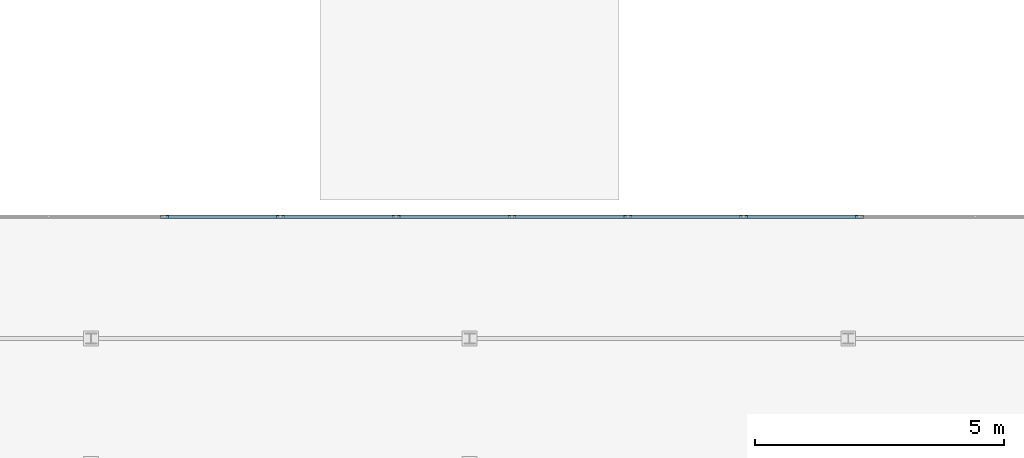
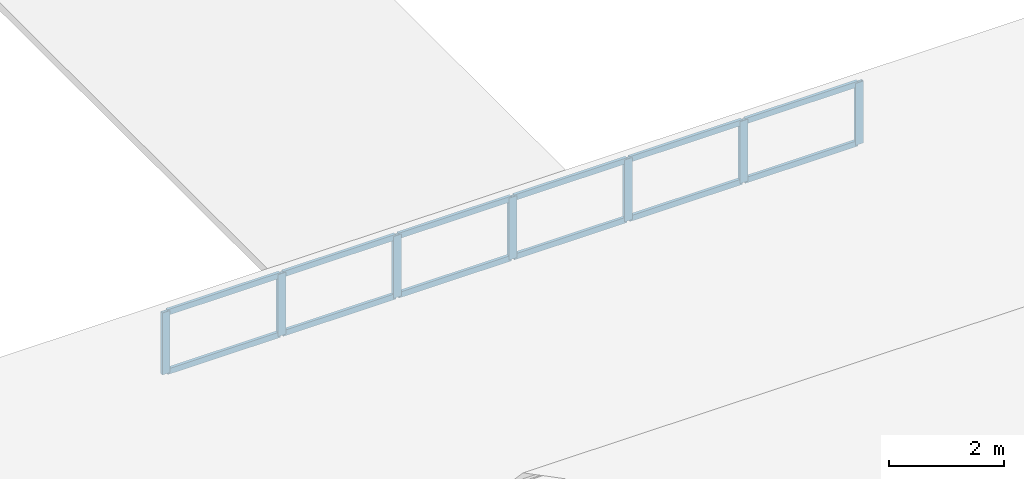
# One storey, part 25 of 114: 19 members, 1 element without a shape of its own.
"""IFC4 building model written with IfcOpenShell, lengths in metres."""

from ifc_helpers import new_model, si_unit, direction, frame, origin, origin_2d, place, context, subcontext, project, spatial, hollow_rectangle, extrude, material, layer, layer_set, material_profile, profile_set, type_object, element, aggregate, save


model = new_model("IFC4")

# Units and contexts
model_context = context("Model", 3, precision=1e-05, world=origin(), true_north=direction((0.0, 1.0)))
body_context = subcontext(model_context, "Body", "Model", "MODEL_VIEW")
ifc_project = project(units=[si_unit("LENGTHUNIT", "METRE"), si_unit("AREAUNIT", "SQUARE_METRE"), si_unit("VOLUMEUNIT", "CUBIC_METRE"), si_unit("PLANEANGLEUNIT", "RADIAN"), si_unit("MASSUNIT", "GRAM", prefix="KILO")], contexts=[model_context])

# Site, building, storey
site_placement = place(None, origin())
site = spatial("IfcSite", under=ifc_project, at=site_placement, CompositionType="ELEMENT")
building_placement = place(site_placement, origin())
building = spatial("IfcBuilding", under=site, at=building_placement, Name="Montecoro Central Library", CompositionType="ELEMENT")
storey_placement = place(building_placement, frame((0.0, 0.0, 13.260009765625)))
storey = spatial("IfcBuildingStorey", under=building, at=storey_placement, Name="L03", CompositionType="ELEMENT", Elevation=13.260009765625)

# Curtain wall, members
ifc_material_1 = material(Name="Bronze-anodised aluminium and low-E glazing", Category="aluminium")
ifc_layer = layer(ifc_material_1, 0.159912109375)
ifc_layer_set = layer_set([ifc_layer], Name="Bronze-anodised aluminium and low-E glazing")
curtain_wall_type = type_object("IfcCurtainWallType", Name="CWT-037", PredefinedType="NOTDEFINED", material=ifc_layer_set)
curtain_wall_placement = place(storey_placement, origin())
curtain_wall = element("IfcCurtainWall", 1, at=curtain_wall_placement, inside=storey, type_object=curtain_wall_type, Name="V3-ROOF-SAWCW-2", PredefinedType="NOTDEFINED")
ifc_material_2 = material(Name="Bronze-anodised aluminium", Category="aluminium")
ifc_material_profile_1 = material_profile(ifc_material_2, hollow_rectangle(XDim=0.06005859375, YDim=0.159912109375, WallThickness=0.00390625, at=origin_2d()), Name="CWM 160x60x4.0")
ifc_profile_set_1 = profile_set([ifc_material_profile_1], Name="Bronze-anodised aluminium")
member_type_1 = type_object("IfcMemberType", Name="CWM-BRZ-60", PredefinedType="MULLION", material=ifc_profile_set_1)
member_1_placement = place(storey_placement, frame((21.675048828125, 35.199951171875, 0.0), z_axis=(0.0, 0.0, 1.0), x_axis=(0.0, 1.0, 0.0)))
member_1 = element("IfcMember", 2, at=member_1_placement, type_object=member_type_1, Name="CW-037 mullion 8", PredefinedType="MULLION", context=body_context, shape_type="SweptSolid", body=[
    extrude(hollow_rectangle(XDim=0.06005859375, YDim=0.159912109375, WallThickness=0.00390625, at=origin_2d()), origin(), (0.0, 0.0, 1.0), 1.320068359375),
])
member_2_placement = place(storey_placement, frame((24.0, 35.199951171875, 0.0), z_axis=(0.0, 0.0, 1.0), x_axis=(0.0, 1.0, 0.0)))
member_2 = element("IfcMember", 3, at=member_2_placement, type_object=member_type_1, Name="CW-037 mullion 9", PredefinedType="MULLION", context=body_context, shape_type="SweptSolid", body=[
    extrude(hollow_rectangle(XDim=0.06005859375, YDim=0.159912109375, WallThickness=0.00390625, at=origin_2d()), origin(), (0.0, 0.0, 1.0), 1.320068359375),
])
member_3_placement = place(storey_placement, frame((26.324951171875, 35.199951171875, 0.0), z_axis=(0.0, 0.0, 1.0), x_axis=(0.0, 1.0, 0.0)))
member_3 = element("IfcMember", 4, at=member_3_placement, type_object=member_type_1, Name="CW-037 mullion 10", PredefinedType="MULLION", context=body_context, shape_type="SweptSolid", body=[
    extrude(hollow_rectangle(XDim=0.06005859375, YDim=0.159912109375, WallThickness=0.00390625, at=origin_2d()), origin(), (0.0, 0.0, 1.0), 1.320068359375),
])
member_4_placement = place(storey_placement, frame((28.64990234375, 35.199951171875, 0.0), z_axis=(0.0, 0.0, 1.0), x_axis=(0.0, 1.0, 0.0)))
member_4 = element("IfcMember", 5, at=member_4_placement, type_object=member_type_1, Name="CW-037 mullion 11", PredefinedType="MULLION", context=body_context, shape_type="SweptSolid", body=[
    extrude(hollow_rectangle(XDim=0.06005859375, YDim=0.159912109375, WallThickness=0.00390625, at=origin_2d()), origin(), (0.0, 0.0, 1.0), 1.320068359375),
])
member_5_placement = place(storey_placement, frame((30.97509765625, 35.199951171875, 0.0), z_axis=(0.0, 0.0, 1.0), x_axis=(0.0, 1.0, 0.0)))
member_5 = element("IfcMember", 6, at=member_5_placement, type_object=member_type_1, Name="CW-037 mullion 12", PredefinedType="MULLION", context=body_context, shape_type="SweptSolid", body=[
    extrude(hollow_rectangle(XDim=0.06005859375, YDim=0.159912109375, WallThickness=0.00390625, at=origin_2d()), origin(), (0.0, 0.0, 1.0), 1.320068359375),
])
member_6_placement = place(storey_placement, frame((33.300048828125, 35.199951171875, 0.0), z_axis=(0.0, 0.0, 1.0), x_axis=(0.0, 1.0, 0.0)))
member_6 = element("IfcMember", 7, at=member_6_placement, type_object=member_type_1, Name="CW-037 mullion 13", PredefinedType="MULLION", context=body_context, shape_type="SweptSolid", body=[
    extrude(hollow_rectangle(XDim=0.06005859375, YDim=0.159912109375, WallThickness=0.00390625, at=origin_2d()), origin(), (0.0, 0.0, 1.0), 1.320068359375),
])
member_7_placement = place(storey_placement, frame((35.625, 35.199951171875, 0.0), z_axis=(0.0, 0.0, 1.0), x_axis=(0.0, 1.0, 0.0)))
member_7 = element("IfcMember", 8, at=member_7_placement, type_object=member_type_1, Name="CW-037 mullion 14", PredefinedType="MULLION", context=body_context, shape_type="SweptSolid", body=[
    extrude(hollow_rectangle(XDim=0.06005859375, YDim=0.159912109375, WallThickness=0.00390625, at=origin_2d()), origin(), (0.0, 0.0, 1.0), 1.320068359375),
])
ifc_material_profile_2 = material_profile(ifc_material_2, hollow_rectangle(XDim=0.06005859375, YDim=0.1201171875, WallThickness=0.00390625, at=origin_2d()), Name="CWT 120x60x4.0")
ifc_profile_set_2 = profile_set([ifc_material_profile_2], Name="Bronze-anodised aluminium")
member_type_2 = type_object("IfcMemberType", Name="CWT-BRZ-60", PredefinedType="USERDEFINED", material=ifc_profile_set_2)
member_8_placement = place(storey_placement, frame((21.705078125, 35.199951171875, 0.030029296875), z_axis=(1.0, 0.0, 0.0), x_axis=(0.0, 1.0, 0.0)))
member_8 = element("IfcMember", 9, at=member_8_placement, type_object=member_type_2, Name="CW-037 transom 8.1", ObjectType="TRANSOM", PredefinedType="USERDEFINED", context=body_context, shape_type="SweptSolid", body=[
    extrude(hollow_rectangle(XDim=0.06005859375, YDim=0.1201171875, WallThickness=0.00390625, at=origin_2d()), origin(), (0.0, 0.0, 1.0), 2.264892578125),
])
member_9_placement = place(storey_placement, frame((21.705078125, 35.199951171875, 1.2900390625), z_axis=(1.0, 0.0, 0.0), x_axis=(0.0, 1.0, 0.0)))
member_9 = element("IfcMember", 10, at=member_9_placement, type_object=member_type_2, Name="CW-037 transom 8.2", ObjectType="TRANSOM", PredefinedType="USERDEFINED", context=body_context, shape_type="SweptSolid", body=[
    extrude(hollow_rectangle(XDim=0.06005859375, YDim=0.1201171875, WallThickness=0.00390625, at=origin_2d()), origin(), (0.0, 0.0, 1.0), 2.264892578125),
])
member_10_placement = place(storey_placement, frame((24.030029296875, 35.199951171875, 0.030029296875), z_axis=(1.0, 0.0, 0.0), x_axis=(0.0, 1.0, 0.0)))
member_10 = element("IfcMember", 11, at=member_10_placement, type_object=member_type_2, Name="CW-037 transom 9.1", ObjectType="TRANSOM", PredefinedType="USERDEFINED", context=body_context, shape_type="SweptSolid", body=[
    extrude(hollow_rectangle(XDim=0.06005859375, YDim=0.1201171875, WallThickness=0.00390625, at=origin_2d()), origin(), (0.0, 0.0, 1.0), 2.264892578125),
])
member_11_placement = place(storey_placement, frame((24.030029296875, 35.199951171875, 1.2900390625), z_axis=(1.0, 0.0, 0.0), x_axis=(0.0, 1.0, 0.0)))
member_11 = element("IfcMember", 12, at=member_11_placement, type_object=member_type_2, Name="CW-037 transom 9.2", ObjectType="TRANSOM", PredefinedType="USERDEFINED", context=body_context, shape_type="SweptSolid", body=[
    extrude(hollow_rectangle(XDim=0.06005859375, YDim=0.1201171875, WallThickness=0.00390625, at=origin_2d()), origin(), (0.0, 0.0, 1.0), 2.264892578125),
])
member_12_placement = place(storey_placement, frame((26.35498046875, 35.199951171875, 0.030029296875), z_axis=(1.0, 0.0, 0.0), x_axis=(0.0, 1.0, 0.0)))
member_12 = element("IfcMember", 13, at=member_12_placement, type_object=member_type_2, Name="CW-037 transom 10.1", ObjectType="TRANSOM", PredefinedType="USERDEFINED", context=body_context, shape_type="SweptSolid", body=[
    extrude(hollow_rectangle(XDim=0.06005859375, YDim=0.1201171875, WallThickness=0.00390625, at=origin_2d()), origin(), (0.0, 0.0, 1.0), 2.26513671875),
])
member_13_placement = place(storey_placement, frame((26.35498046875, 35.199951171875, 1.2900390625), z_axis=(1.0, 0.0, 0.0), x_axis=(0.0, 1.0, 0.0)))
member_13 = element("IfcMember", 14, at=member_13_placement, type_object=member_type_2, Name="CW-037 transom 10.2", ObjectType="TRANSOM", PredefinedType="USERDEFINED", context=body_context, shape_type="SweptSolid", body=[
    extrude(hollow_rectangle(XDim=0.06005859375, YDim=0.1201171875, WallThickness=0.00390625, at=origin_2d()), origin(), (0.0, 0.0, 1.0), 2.26513671875),
])
member_14_placement = place(storey_placement, frame((28.679931640625, 35.199951171875, 0.030029296875), z_axis=(1.0, 0.0, 0.0), x_axis=(0.0, 1.0, 0.0)))
member_14 = element("IfcMember", 15, at=member_14_placement, type_object=member_type_2, Name="CW-037 transom 11.1", ObjectType="TRANSOM", PredefinedType="USERDEFINED", context=body_context, shape_type="SweptSolid", body=[
    extrude(hollow_rectangle(XDim=0.06005859375, YDim=0.1201171875, WallThickness=0.00390625, at=origin_2d()), origin(), (0.0, 0.0, 1.0), 2.26513671875),
])
member_15_placement = place(storey_placement, frame((28.679931640625, 35.199951171875, 1.2900390625), z_axis=(1.0, 0.0, 0.0), x_axis=(0.0, 1.0, 0.0)))
member_15 = element("IfcMember", 16, at=member_15_placement, type_object=member_type_2, Name="CW-037 transom 11.2", ObjectType="TRANSOM", PredefinedType="USERDEFINED", context=body_context, shape_type="SweptSolid", body=[
    extrude(hollow_rectangle(XDim=0.06005859375, YDim=0.1201171875, WallThickness=0.00390625, at=origin_2d()), origin(), (0.0, 0.0, 1.0), 2.26513671875),
])
member_16_placement = place(storey_placement, frame((31.0048828125, 35.199951171875, 0.030029296875), z_axis=(1.0, 0.0, 0.0), x_axis=(0.0, 1.0, 0.0)))
member_16 = element("IfcMember", 17, at=member_16_placement, type_object=member_type_2, Name="CW-037 transom 12.1", ObjectType="TRANSOM", PredefinedType="USERDEFINED", context=body_context, shape_type="SweptSolid", body=[
    extrude(hollow_rectangle(XDim=0.06005859375, YDim=0.1201171875, WallThickness=0.00390625, at=origin_2d()), origin(), (0.0, 0.0, 1.0), 2.26513671875),
])
member_17_placement = place(storey_placement, frame((31.0048828125, 35.199951171875, 1.2900390625), z_axis=(1.0, 0.0, 0.0), x_axis=(0.0, 1.0, 0.0)))
member_17 = element("IfcMember", 18, at=member_17_placement, type_object=member_type_2, Name="CW-037 transom 12.2", ObjectType="TRANSOM", PredefinedType="USERDEFINED", context=body_context, shape_type="SweptSolid", body=[
    extrude(hollow_rectangle(XDim=0.06005859375, YDim=0.1201171875, WallThickness=0.00390625, at=origin_2d()), origin(), (0.0, 0.0, 1.0), 2.26513671875),
])
member_18_placement = place(storey_placement, frame((33.330078125, 35.199951171875, 0.030029296875), z_axis=(1.0, 0.0, 0.0), x_axis=(0.0, 1.0, 0.0)))
member_18 = element("IfcMember", 19, at=member_18_placement, type_object=member_type_2, Name="CW-037 transom 13.1", ObjectType="TRANSOM", PredefinedType="USERDEFINED", context=body_context, shape_type="SweptSolid", body=[
    extrude(hollow_rectangle(XDim=0.06005859375, YDim=0.1201171875, WallThickness=0.00390625, at=origin_2d()), origin(), (0.0, 0.0, 1.0), 2.264892578125),
])
member_19_placement = place(storey_placement, frame((33.330078125, 35.199951171875, 1.2900390625), z_axis=(1.0, 0.0, 0.0), x_axis=(0.0, 1.0, 0.0)))
member_19 = element("IfcMember", 20, at=member_19_placement, type_object=member_type_2, Name="CW-037 transom 13.2", ObjectType="TRANSOM", PredefinedType="USERDEFINED", context=body_context, shape_type="SweptSolid", body=[
    extrude(hollow_rectangle(XDim=0.06005859375, YDim=0.1201171875, WallThickness=0.00390625, at=origin_2d()), origin(), (0.0, 0.0, 1.0), 2.264892578125),
])
aggregate(curtain_wall, [member_1, member_2, member_3, member_4, member_5, member_6, member_7, member_8, member_9, member_10, member_11, member_12, member_13, member_14, member_15, member_16, member_17, member_18, member_19])

save(model, "model.ifc")
